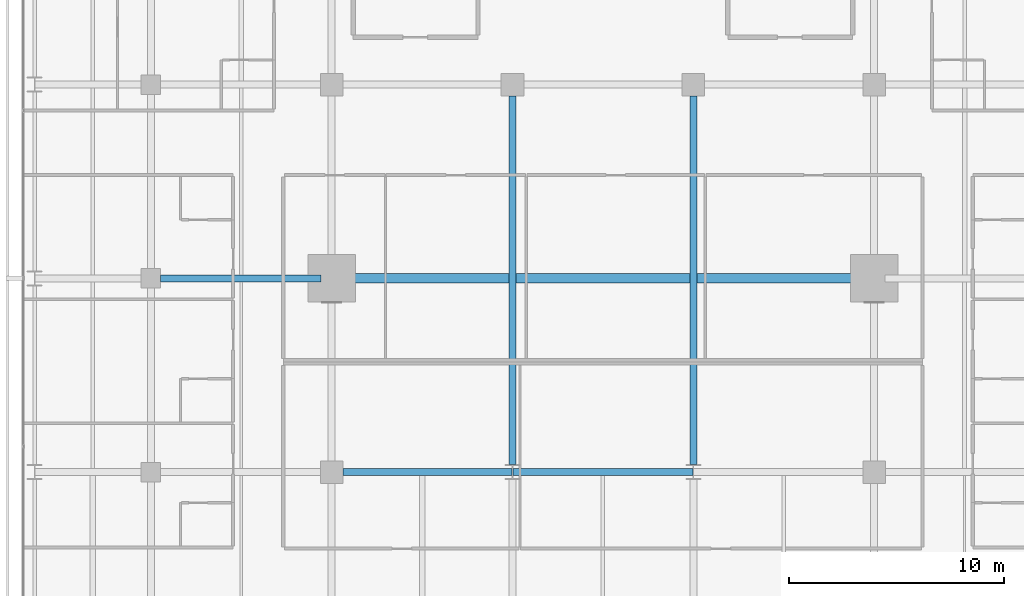
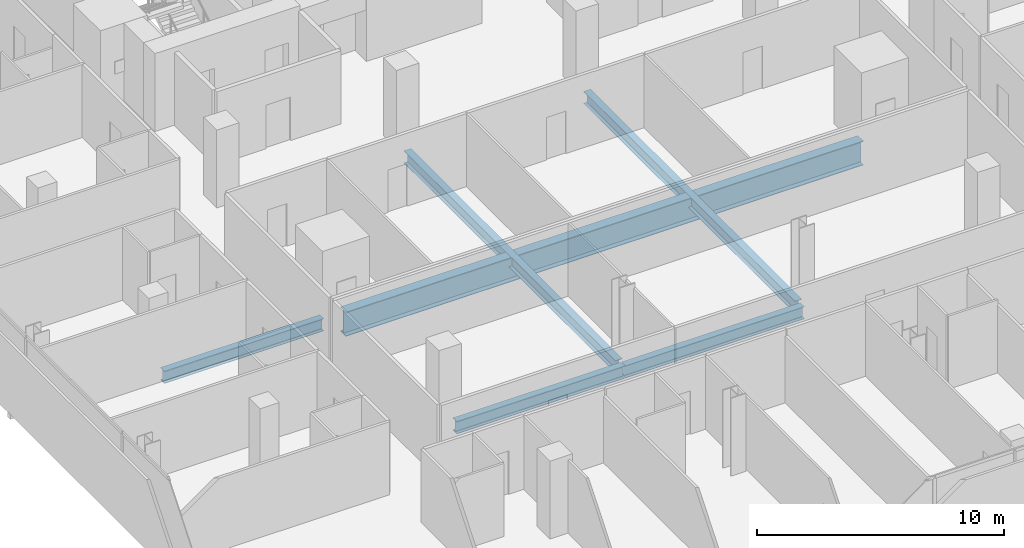
# One storey, part 13 of 40: 6 beams.
"""IFC4 building model written with IfcOpenShell, lengths in metres."""

from ifc_helpers import new_model, si_unit, direction, frame, origin, origin_2d, place, context, subcontext, project, spatial, i_section, extrude, material, material_profile, profile_set, type_object, element, save


model = new_model("IFC4")

# Units and contexts
model_context = context("Model", 3, precision=1e-05, world=origin(), true_north=direction((0.0, 1.0)))
body_context = subcontext(model_context, "Body", "Model", "MODEL_VIEW")
ifc_project = project(units=[si_unit("LENGTHUNIT", "METRE"), si_unit("AREAUNIT", "SQUARE_METRE"), si_unit("VOLUMEUNIT", "CUBIC_METRE"), si_unit("PLANEANGLEUNIT", "RADIAN"), si_unit("MASSUNIT", "GRAM", prefix="KILO")], contexts=[model_context])

# Site, building, storey
site_placement = place(None, origin())
site = spatial("IfcSite", under=ifc_project, at=site_placement, CompositionType="ELEMENT")
building_placement = place(site_placement, origin())
building = spatial("IfcBuilding", under=site, at=building_placement, Name="Maruvema Waterfront Hotel and Observation Tower", CompositionType="ELEMENT")
storey_placement = place(building_placement, frame((0.0, 0.0, 92.39990234375)))
storey = spatial("IfcBuildingStorey", under=building, at=storey_placement, Name="L22", CompositionType="ELEMENT", Elevation=92.39990234375)

# Beams
ifc_material_1 = material(Name="Steel ASTM A572 Grade 50", Category="steel")
ifc_material_profile_1 = material_profile(ifc_material_1, i_section(OverallWidth=0.323974609375, OverallDepth=0.611083984375, WebThickness=0.0126953125, FlangeThickness=0.01904296875, FilletRadius=0.01806640625, at=origin_2d()), Name="W610x155.0")
ifc_profile_set_1 = profile_set([ifc_material_profile_1], Name="Steel ASTM A572 Grade 50")
beam_type_1 = type_object("IfcBeamType", Name="Primary Floor Girder W610x155.0", PredefinedType="BEAM", material=ifc_profile_set_1)
beam_1_placement = place(storey_placement, frame((25.72509765625, 18.0, -0.54541015625), z_axis=(1.0, 0.0, 0.0), x_axis=(0.0, 1.0, 0.0)))
element("IfcBeam", 1, at=beam_1_placement, inside=storey, type_object=beam_type_1, Name="L22 Floor Girder EW-15", PredefinedType="BEAM", context=body_context, shape_type="SweptSolid", body=[
    extrude(i_section(OverallWidth=0.323974609375, OverallDepth=0.611083984375, WebThickness=0.0126953125, FlangeThickness=0.01904296875, FilletRadius=0.01806640625, at=origin_2d()), origin(), (0.0, 0.0, 1.0), 7.86083984375),
])
beam_2_placement = place(storey_placement, frame((33.614013671875, 18.0, -0.54541015625), z_axis=(1.0, 0.0, 0.0), x_axis=(0.0, 1.0, 0.0)))
element("IfcBeam", 2, at=beam_2_placement, inside=storey, type_object=beam_type_1, Name="L22 Floor Girder EW-16", PredefinedType="BEAM", context=body_context, shape_type="SweptSolid", body=[
    extrude(i_section(OverallWidth=0.323974609375, OverallDepth=0.611083984375, WebThickness=0.0126953125, FlangeThickness=0.01904296875, FilletRadius=0.01806640625, at=origin_2d()), origin(), (0.0, 0.0, 1.0), 8.3720703125),
])
beam_3_placement = place(storey_placement, frame((17.25, 27.0, -0.54541015625), z_axis=(1.0, 0.0, 0.0), x_axis=(0.0, 1.0, 0.0)))
element("IfcBeam", 3, at=beam_3_placement, inside=storey, type_object=beam_type_1, Name="L22 Floor Girder EW-21", PredefinedType="BEAM", context=body_context, shape_type="SweptSolid", body=[
    extrude(i_section(OverallWidth=0.323974609375, OverallDepth=0.611083984375, WebThickness=0.0126953125, FlangeThickness=0.01904296875, FilletRadius=0.01806640625, at=origin_2d()), origin(), (0.0, 0.0, 1.0), 7.449951171875),
])
for number, where, z_axis, x_axis, name in (
    (4, (33.60009765625, 18.35009765625, -0.54541015625), (0.0, 1.0, 0.0), (-1.0, 0.0, 0.0), "L22 Floor Girder NS-18"),
    (5, (42.0, 18.35009765625, -0.54541015625), (0.0, 1.0, 0.0), (-1.0, 0.0, 0.0), "L22 Floor Girder NS-21"),
):
    element("IfcBeam", number, at=place(storey_placement, frame(where, z_axis=z_axis, x_axis=x_axis)), inside=storey, type_object=beam_type_1, Name=name, PredefinedType="BEAM", context=body_context, shape_type="SweptSolid", body=[
        extrude(i_section(OverallWidth=0.323974609375, OverallDepth=0.611083984375, WebThickness=0.0126953125, FlangeThickness=0.01904296875, FilletRadius=0.01806640625, at=origin_2d()), origin(), (0.0, 0.0, 1.0), 17.125),
    ])
ifc_material_2 = material(Name="Steel ABNT NBR 7007 AR 415 (ASTM A572 Grade 50)", Category="steel")
ifc_material_profile_2 = material_profile(ifc_material_2, i_section(OverallWidth=0.449951171875, OverallDepth=1.199951171875, WebThickness=0.01904296875, FlangeThickness=0.031982421875, at=origin_2d()), Name="VS1200x366")
ifc_profile_set_2 = profile_set([ifc_material_profile_2], Name="Steel ABNT NBR 7007 AR 415 (ASTM A572 Grade 50)")
beam_type_2 = type_object("IfcBeamType", Name="Upper Setback Transfer Girder VS1200x366", PredefinedType="USERDEFINED", material=ifc_profile_set_2)
beam_4_placement = place(storey_placement, frame((25.699951171875, 27.0, -0.83984375), z_axis=(1.0, 0.0, 0.0), x_axis=(0.0, 1.0, 0.0)))
element("IfcBeam", 6, at=beam_4_placement, inside=storey, type_object=beam_type_2, Name="L22 Floor Girder EW-22", ObjectType="TRANSFER GIRDER", PredefinedType="USERDEFINED", context=body_context, shape_type="SweptSolid", body=[
    extrude(i_section(OverallWidth=0.449951171875, OverallDepth=1.199951171875, WebThickness=0.01904296875, FlangeThickness=0.031982421875, at=origin_2d()), origin(), (0.0, 0.0, 1.0), 24.199951171875),
])

save(model, "model.ifc")
